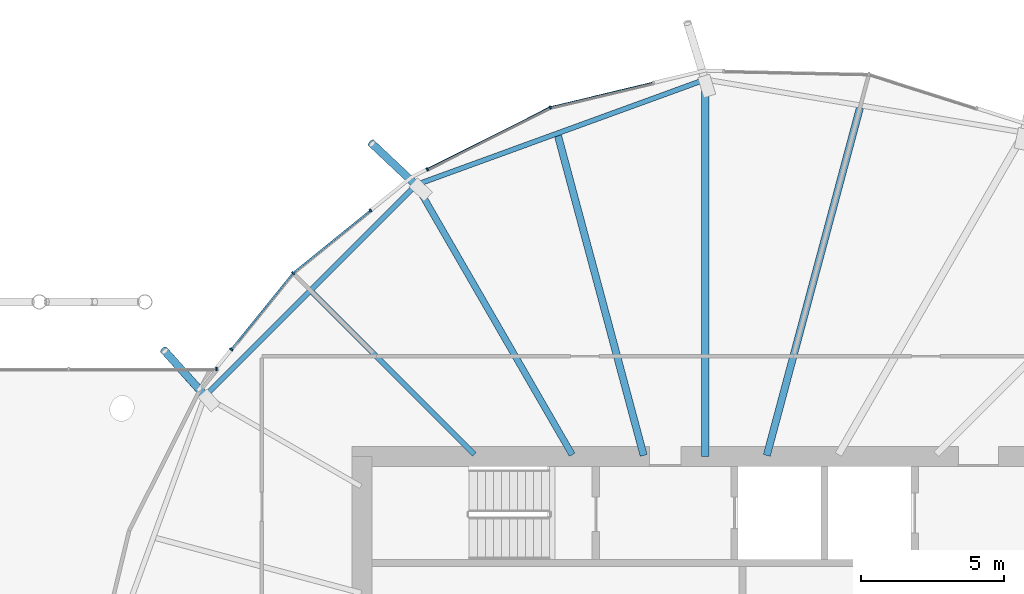
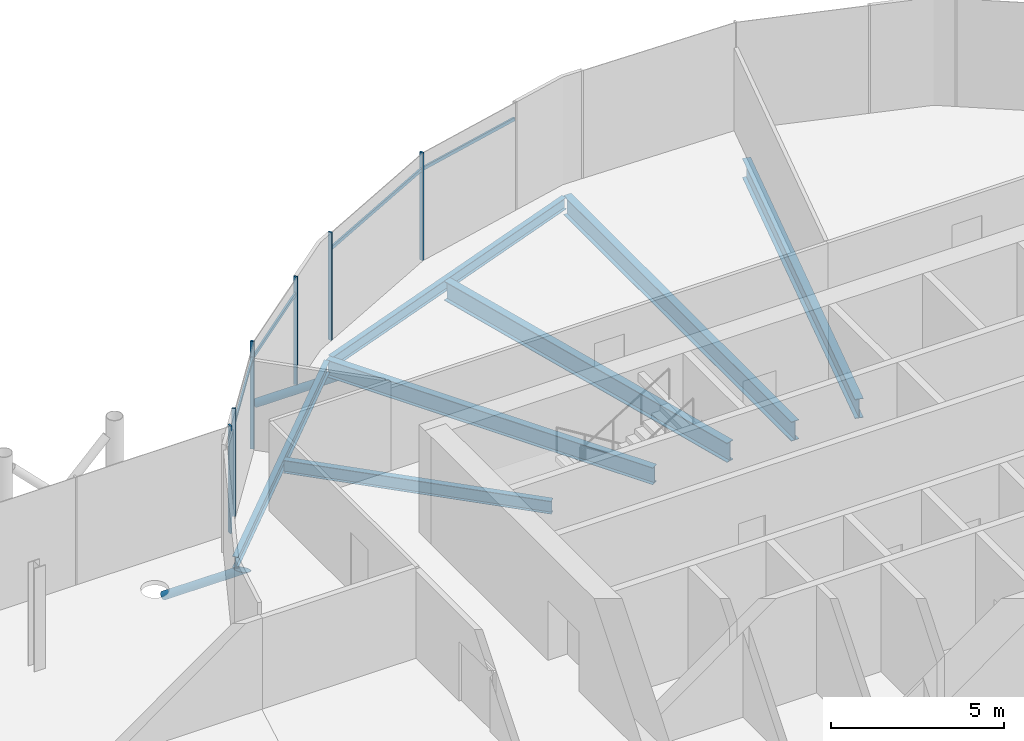
# One storey, part 17 of 40: 12 members, 7 beams, 2 elements without a shape of their own.
"""IFC4 building model written with IfcOpenShell, lengths in metres."""

from ifc_helpers import new_model, si_unit, direction, frame, origin, origin_2d, place, context, subcontext, project, spatial, rectangle, hollow_circle, i_section, extrude, clip, halfspace, material, material_profile, profile_set, type_object, element, aggregate, save


model = new_model("IFC4")

# Units and contexts
model_context = context("Model", 3, precision=1e-05, world=origin(), true_north=direction((0.0, 1.0)))
body_context = subcontext(model_context, "Body", "Model", "MODEL_VIEW")
ifc_project = project(units=[si_unit("LENGTHUNIT", "METRE"), si_unit("AREAUNIT", "SQUARE_METRE"), si_unit("VOLUMEUNIT", "CUBIC_METRE"), si_unit("PLANEANGLEUNIT", "RADIAN"), si_unit("MASSUNIT", "GRAM", prefix="KILO")], contexts=[model_context])

# Site, building, storey
site_placement = place(None, origin())
site = spatial("IfcSite", under=ifc_project, at=site_placement, CompositionType="ELEMENT")
building_placement = place(site_placement, origin())
building = spatial("IfcBuilding", under=site, at=building_placement, Name="Rimbun Link Towers", CompositionType="ELEMENT")
storey_placement = place(building_placement, frame((0.0, 0.0, 150.60009765625)))
storey = spatial("IfcBuildingStorey", under=building, at=storey_placement, Name="L36", CompositionType="ELEMENT", Elevation=150.60009765625)

# Curtain wall, members
ifc_material_1 = material(Name="Aluminium 6063-T6 and low-iron glass", Category="aluminium")
curtain_wall_type = type_object("IfcCurtainWallType", Name="CW4 link block wall", PredefinedType="NOTDEFINED", material=ifc_material_1)
curtain_wall_1_placement = place(storey_placement, origin())
curtain_wall_1 = element("IfcCurtainWall", 1, at=curtain_wall_1_placement, inside=storey, type_object=curtain_wall_type, Name="CW4 L36 T2", PredefinedType="NOTDEFINED")
ifc_material_2 = material(Name="Aluminium 6063-T6", Category="aluminium")
ifc_material_profile_1 = material_profile(ifc_material_2, rectangle(XDim=0.1201171875, YDim=0.06005859375, at=origin_2d()), Name="MULLION 60X120")
ifc_profile_set_1 = profile_set([ifc_material_profile_1], Name="Aluminium 6063-T6")
member_type_1 = type_object("IfcMemberType", Name="CW4 mullion 60X120", PredefinedType="MULLION", material=ifc_profile_set_1)
member_1_placement = place(storey_placement, frame((26.332763671875, 20.197021484375, 0.0), z_axis=(0.0, 0.0, 1.0), x_axis=(-0.342963066451, 0.939348888886, 0.0)))
member_1 = element("IfcMember", 2, at=member_1_placement, type_object=member_type_1, Name="CW4 mullion", PredefinedType="MULLION", context=body_context, shape_type="SweptSolid", body=[
    extrude(rectangle(XDim=0.1201171875, YDim=0.06005859375, at=origin_2d()), origin(), (0.0, 0.0, 1.0), 3.7998046875),
])
member_2_placement = place(storey_placement, frame((22.03173828125, 18.03759765625, 0.0), z_axis=(0.0, 0.0, 1.0), x_axis=(-0.448781608432, 0.893641464981, 0.0)))
member_2 = element("IfcMember", 3, at=member_2_placement, type_object=member_type_1, Name="CW4 mullion", PredefinedType="MULLION", context=body_context, shape_type="SweptSolid", body=[
    extrude(rectangle(XDim=0.1201171875, YDim=0.06005859375, at=origin_2d()), origin(), (0.0, 0.0, 1.0), 3.7998046875),
])
member_3_placement = place(storey_placement, frame((17.34228515625, 14.40771484375, 0.0), z_axis=(0.0, 0.0, 1.0), x_axis=(-0.707106781187, 0.707106781187, 0.0)))
member_3 = element("IfcMember", 4, at=member_3_placement, type_object=member_type_1, Name="CW4 mullion", PredefinedType="MULLION", context=body_context, shape_type="SweptSolid", body=[
    extrude(rectangle(XDim=0.1201171875, YDim=0.06005859375, at=origin_2d()), origin(), (0.0, 0.0, 1.0), 3.7998046875),
])
member_4_placement = place(storey_placement, frame((20.046875, 16.597412109375, 0.0), z_axis=(0.0, 0.0, 1.0), x_axis=(-0.629158779809, 0.777276803841, 0.0)))
member_4 = element("IfcMember", 5, at=member_4_placement, type_object=member_type_1, Name="CW4 mullion", PredefinedType="MULLION", context=body_context, shape_type="SweptSolid", body=[
    extrude(rectangle(XDim=0.1201171875, YDim=0.06005859375, at=origin_2d()), origin(), (0.0, 0.0, 1.0), 3.7998046875),
])
member_5_placement = place(storey_placement, frame((15.18408203125, 11.7421875, 0.0), z_axis=(0.0, 0.0, 1.0), x_axis=(-0.777276803841, 0.629158779809, 0.0)))
member_5 = element("IfcMember", 6, at=member_5_placement, type_object=member_type_1, Name="CW4 mullion", PredefinedType="MULLION", context=body_context, shape_type="SweptSolid", body=[
    extrude(rectangle(XDim=0.1201171875, YDim=0.06005859375, at=origin_2d()), origin(), (0.0, 0.0, 1.0), 3.7998046875),
])

# Curtain wall, member
curtain_wall_2_placement = place(storey_placement, origin())
curtain_wall_2 = element("IfcCurtainWall", 7, at=curtain_wall_2_placement, inside=storey, type_object=curtain_wall_type, Name="CW4 L36 LB", PredefinedType="NOTDEFINED")
member_6_placement = place(storey_placement, frame((14.66064453125, 11.06005859375, 0.0), z_axis=(0.0, 0.0, 1.0), x_axis=(0.0, 1.0, 0.0)))
member_6 = element("IfcMember", 8, at=member_6_placement, type_object=member_type_1, Name="CW4 mullion", PredefinedType="MULLION", context=body_context, shape_type="SweptSolid", body=[
    extrude(rectangle(XDim=0.1201171875, YDim=0.06005859375, at=origin_2d()), origin(), (0.0, 0.0, 1.0), 3.7998046875),
])
aggregate(curtain_wall_2, [member_6])

# Member
ifc_material_3 = material(Name="Aluminium 6063-T6", Category="aluminium")
ifc_material_profile_2 = material_profile(ifc_material_3, rectangle(XDim=0.06005859375, YDim=0.1201171875, at=origin_2d()), Name="TRANSOM 60X120")
ifc_profile_set_2 = profile_set([ifc_material_profile_2], Name="Aluminium 6063-T6")
member_type_2 = type_object("IfcMemberType", Name="CW4 transom 60X120", PredefinedType="USERDEFINED", material=ifc_profile_set_2)
member_7_placement = place(storey_placement, frame((26.368896484375, 20.2041015625, 3.199951171875), z_axis=(0.972585489627, 0.232545619967, 0.0), x_axis=(-0.232545619967, 0.972585489627, 0.0)))
member_7 = element("IfcMember", 9, at=member_7_placement, type_object=member_type_2, Name="CW4 transom", ObjectType="TRANSOM", PredefinedType="USERDEFINED", context=body_context, shape_type="SweptSolid", body=[
    extrude(rectangle(XDim=0.06005859375, YDim=0.1201171875, at=origin_2d()), origin(), (0.0, 0.0, 1.0), 3.638916015625),
])

member_8_placement = place(storey_placement, frame((22.0595703125, 18.049072265625, 3.199951171875), z_axis=(0.893633550107, 0.448797368668, 0.0), x_axis=(-0.448797368668, 0.893633550107, 0.0)))
member_8 = element("IfcMember", 10, at=member_8_placement, type_object=member_type_2, Name="CW4 transom", ObjectType="TRANSOM", PredefinedType="USERDEFINED", context=body_context, shape_type="SweptSolid", body=[
    extrude(rectangle(XDim=0.06005859375, YDim=0.1201171875, at=origin_2d()), origin(), (0.0, 0.0, 1.0), 4.745849609375),
])

member_9_placement = place(storey_placement, frame((17.37158203125, 14.42919921875, 3.199951171875), z_axis=(0.777248201938, 0.629194113596, 0.0), x_axis=(-0.629194113596, 0.777248201938, 0.0)))
member_9 = element("IfcMember", 11, at=member_9_placement, type_object=member_type_2, Name="CW4 transom", ObjectType="TRANSOM", PredefinedType="USERDEFINED", context=body_context, shape_type="SweptSolid", body=[
    extrude(rectangle(XDim=0.06005859375, YDim=0.1201171875, at=origin_2d()), origin(), (0.0, 0.0, 1.0), 3.413330078125),
])

member_10_placement = place(storey_placement, frame((15.20458984375, 11.76416015625, 3.199951171875), z_axis=(0.629181523638, 0.77725839353, 0.0), x_axis=(-0.77725839353, 0.629181523638, 0.0)))
member_10 = element("IfcMember", 12, at=member_10_placement, type_object=member_type_2, Name="CW4 transom", ObjectType="TRANSOM", PredefinedType="USERDEFINED", context=body_context, shape_type="SweptSolid", body=[
    extrude(rectangle(XDim=0.06005859375, YDim=0.1201171875, at=origin_2d()), origin(), (0.0, 0.0, 1.0), 3.363525390625),
])

aggregate(curtain_wall_1, [member_1, member_2, member_3, member_4, member_5, member_7, member_8, member_9, member_10])

# Members
ifc_material_4 = material(Name="Steel S355J2H", Category="steel")
ifc_material_profile_3 = material_profile(ifc_material_4, hollow_circle(Radius=0.136474609375, WallThickness=0.012451171875, at=origin_2d()), Name="CHS 273x12.5")
ifc_profile_set_3 = profile_set([ifc_material_profile_3], Name="Steel S355J2H")
member_type_3 = type_object("IfcMemberType", Name="Floor edge link CHS 273x12.5", PredefinedType="BRACE", material=ifc_profile_set_3)
member_11_placement = place(storey_placement, frame((21.674072265625, 17.4521484375, -0.90185546875), z_axis=(-0.638438008864, 0.600483126476, -0.481473699858), x_axis=(-0.685122831876, -0.728427556619, 0.0)))
element("IfcMember", 13, at=member_11_placement, inside=storey, type_object=member_type_3, Name="Floor edge link T2 L36 05", PredefinedType="BRACE", context=body_context, shape_type="Clipping", body=[
    clip(extrude(hollow_circle(Radius=0.136474609375, WallThickness=0.012451171875, at=origin_2d()), frame((0.0, 0.0, -0.517578125)), (0.0, 0.0, 1.0), 3.03271484375), halfspace(frame((0.0, 0.0, -0.243408203125), z_axis=(0.0, 0.876460538955, -0.481473699858)), False)),
])
member_12_placement = place(storey_placement, frame((14.2978515625, 10.075927734375, -0.65185546875), z_axis=(-0.572886755104, 0.638981788998, -0.513325470978), x_axis=(-0.744565658424, -0.667549234361, 0.0)))
element("IfcMember", 14, at=member_12_placement, inside=storey, type_object=member_type_3, Name="Floor edge link T2 L36 07", PredefinedType="BRACE", context=body_context, shape_type="Clipping", body=[
    clip(extrude(hollow_circle(Radius=0.136474609375, WallThickness=0.012451171875, at=origin_2d()), frame((0.0, 0.0, -0.475830078125)), (0.0, 0.0, 1.0), 3.05419921875), halfspace(frame((0.0, 0.0, -0.2236328125), z_axis=(0.0, 0.858194011192, -0.513325470978)), False)),
])

# Beams
ifc_material_5 = material(Name="Steel S355J2", Category="steel")
ifc_material_profile_4 = material_profile(ifc_material_5, i_section(OverallWidth=0.177978515625, OverallDepth=0.406494140625, WebThickness=0.0078125, FlangeThickness=0.0126953125, at=origin_2d()), Name="UB 406x178x60")
ifc_profile_set_4 = profile_set([ifc_material_profile_4], Name="Steel S355J2")
beam_type_1 = type_object("IfcBeamType", Name="UB 406x178x60", PredefinedType="BEAM", material=ifc_profile_set_4)
beam_1_placement = place(storey_placement, frame((31.622314453125, 21.127685546875, -0.38330078125), z_axis=(-0.939626268784, -0.342202388963, 0.0), x_axis=(0.342202388963, -0.939626268784, 0.0)))
element("IfcBeam", 15, at=beam_1_placement, inside=storey, type_object=beam_type_1, Name="Edge beam T2 L36 03-05", PredefinedType="BEAM", context=body_context, shape_type="SweptSolid", body=[
    extrude(i_section(OverallWidth=0.177978515625, OverallDepth=0.406494140625, WebThickness=0.0078125, FlangeThickness=0.0126953125, at=origin_2d()), origin(), (0.0, 0.0, 1.0), 10.49755859375),
])
beam_2_placement = place(storey_placement, frame((21.56494140625, 17.411376953125, -0.38330078125), z_axis=(-0.707094870315, -0.707118691858, 0.0), x_axis=(0.707118691858, -0.707094870315, 0.0)))
element("IfcBeam", 16, at=beam_2_placement, inside=storey, type_object=beam_type_1, Name="Edge beam T2 L36 05-07", PredefinedType="BEAM", context=body_context, shape_type="SweptSolid", body=[
    extrude(i_section(OverallWidth=0.177978515625, OverallDepth=0.406494140625, WebThickness=0.0078125, FlangeThickness=0.0126953125, at=origin_2d()), origin(), (0.0, 0.0, 1.0), 10.248779296875),
])
ifc_material_6 = material(Name="Steel S355J2", Category="steel")
ifc_material_profile_5 = material_profile(ifc_material_6, i_section(OverallWidth=0.18994140625, OverallDepth=0.453369140625, WebThickness=0.008544921875, FlangeThickness=0.0126953125, at=origin_2d()), Name="UB 457x191x67")
ifc_profile_set_5 = profile_set([ifc_material_profile_5], Name="Steel S355J2")
beam_type_2 = type_object("IfcBeamType", Name="UB 457x191x67", PredefinedType="BEAM", material=ifc_profile_set_5)
beam_3_placement = place(storey_placement, frame((23.68212890625, 8.06787109375, -0.40673828125), z_axis=(-0.707106781187, 0.707106781187, 0.0), x_axis=(-0.707106781187, -0.707106781187, 0.0)))
element("IfcBeam", 17, at=beam_3_placement, inside=storey, type_object=beam_type_2, Name="Radial beam T2 L36 06", PredefinedType="BEAM", context=body_context, shape_type="SweptSolid", body=[
    extrude(i_section(OverallWidth=0.18994140625, OverallDepth=0.453369140625, WebThickness=0.008544921875, FlangeThickness=0.0126953125, at=origin_2d()), origin(), (0.0, 0.0, 1.0), 8.013916015625),
])
ifc_material_7 = material(Name="Steel S355J2", Category="steel")
ifc_material_profile_6 = material_profile(ifc_material_7, i_section(OverallWidth=0.2275390625, OverallDepth=0.6025390625, WebThickness=0.010498046875, FlangeThickness=0.014892578125, at=origin_2d()), Name="UB 610x229x101")
ifc_profile_set_6 = profile_set([ifc_material_profile_6], Name="Steel S355J2")
beam_type_3 = type_object("IfcBeamType", Name="UB 610x229x101", PredefinedType="BEAM", material=ifc_profile_set_6)
beam_4_placement = place(storey_placement, frame((27.097900390625, 8.057861328125, -0.4814453125), z_axis=(-0.500015928458, 0.866016207289, 0.0), x_axis=(-0.866016207289, -0.500015928458, 0.0)))
element("IfcBeam", 18, at=beam_4_placement, inside=storey, type_object=beam_type_3, Name="Radial beam T2 L36 05", PredefinedType="BEAM", context=body_context, shape_type="SweptSolid", body=[
    extrude(i_section(OverallWidth=0.2275390625, OverallDepth=0.6025390625, WebThickness=0.010498046875, FlangeThickness=0.014892578125, at=origin_2d()), origin(), (0.0, 0.0, 1.0), 10.897705078125),
])
ifc_material_8 = material(Name="Steel S355J2", Category="steel")
ifc_material_profile_7 = material_profile(ifc_material_8, i_section(OverallWidth=0.253662109375, OverallDepth=0.68359375, WebThickness=0.012451171875, FlangeThickness=0.01904296875, at=origin_2d()), Name="UB 686x254x140")
ifc_profile_set_7 = profile_set([ifc_material_profile_7], Name="Steel S355J2")
beam_type_4 = type_object("IfcBeamType", Name="UB 686x254x140", PredefinedType="BEAM", material=ifc_profile_set_7)
beam_5_placement = place(storey_placement, frame((33.902587890625, 8.03369140625, -0.52197265625), z_axis=(0.258819848058, 0.965925611137, 0.0), x_axis=(-0.965925611137, 0.258819848058, 0.0)))
element("IfcBeam", 19, at=beam_5_placement, inside=storey, type_object=beam_type_4, Name="Radial beam T2 L36 02", PredefinedType="BEAM", context=body_context, shape_type="SweptSolid", body=[
    extrude(i_section(OverallWidth=0.253662109375, OverallDepth=0.68359375, WebThickness=0.012451171875, FlangeThickness=0.01904296875, at=origin_2d()), origin(), (0.0, 0.0, 1.0), 12.57763671875),
])
beam_6_placement = place(storey_placement, frame((31.75, 8.0009765625, -0.52197265625), z_axis=(0.0, 1.0, 0.0), x_axis=(-1.0, 0.0, 0.0)))
element("IfcBeam", 20, at=beam_6_placement, inside=storey, type_object=beam_type_4, Name="Radial beam T2 L36 03", PredefinedType="BEAM", context=body_context, shape_type="SweptSolid", body=[
    extrude(i_section(OverallWidth=0.253662109375, OverallDepth=0.68359375, WebThickness=0.012451171875, FlangeThickness=0.01904296875, at=origin_2d()), origin(), (0.0, 0.0, 1.0), 13.17333984375),
])
beam_7_placement = place(storey_placement, frame((29.597412109375, 8.03369140625, -0.52197265625), z_axis=(-0.25881874375, 0.965925907036, 0.0), x_axis=(-0.965925907036, -0.25881874375, 0.0)))
element("IfcBeam", 21, at=beam_7_placement, inside=storey, type_object=beam_type_4, Name="Radial beam T2 L36 04", PredefinedType="BEAM", context=body_context, shape_type="SweptSolid", body=[
    extrude(i_section(OverallWidth=0.253662109375, OverallDepth=0.68359375, WebThickness=0.012451171875, FlangeThickness=0.01904296875, at=origin_2d()), origin(), (0.0, 0.0, 1.0), 11.564697265625),
])

save(model, "model.ifc")
